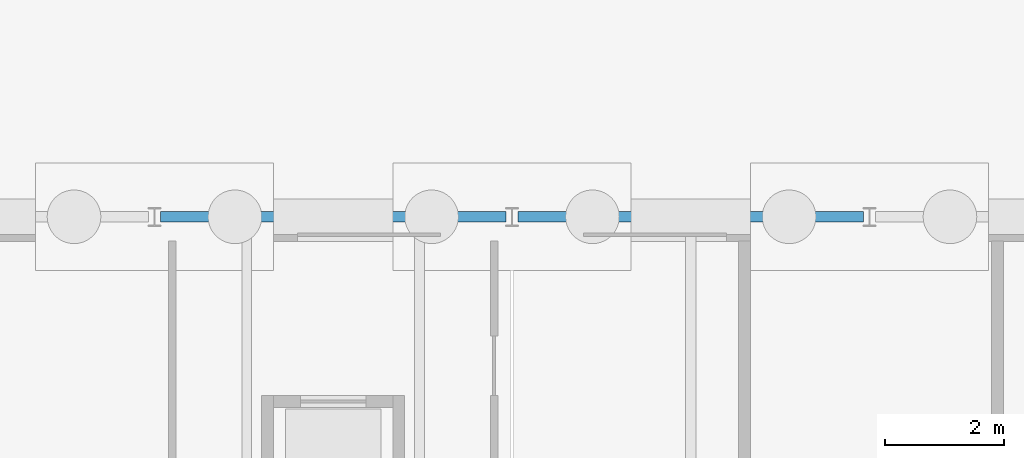
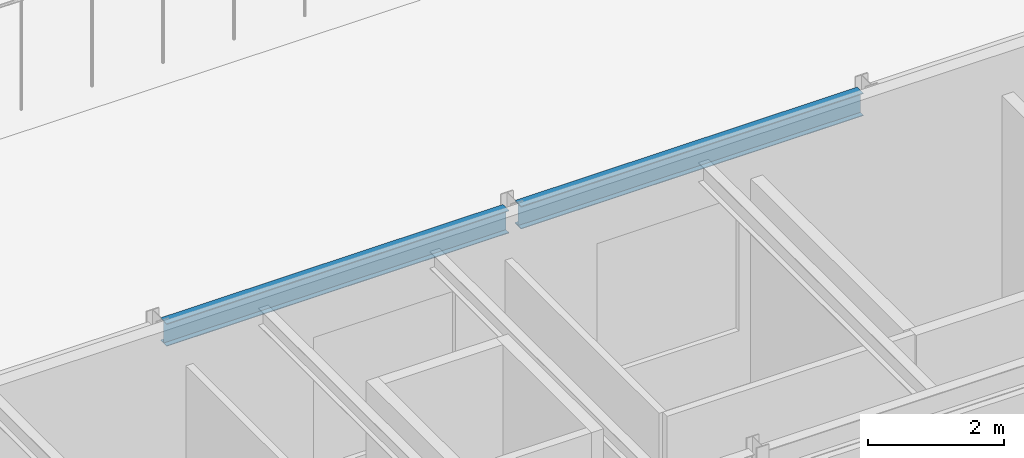
# One storey, part 58 of 139: 2 beams.
"""IFC4 building model written with IfcOpenShell, lengths in metres."""

from ifc_helpers import new_model, si_unit, direction, frame, origin, origin_2d, place, context, subcontext, project, spatial, i_section, extrude, material, material_profile, profile_set, type_object, element, save


model = new_model("IFC4")

# Units and contexts
model_context = context("Model", 3, precision=1e-05, world=origin(), true_north=direction((0.0, 1.0)))
body_context = subcontext(model_context, "Body", "Model", "MODEL_VIEW")
ifc_project = project(units=[si_unit("LENGTHUNIT", "METRE"), si_unit("AREAUNIT", "SQUARE_METRE"), si_unit("VOLUMEUNIT", "CUBIC_METRE"), si_unit("PLANEANGLEUNIT", "RADIAN"), si_unit("MASSUNIT", "GRAM", prefix="KILO")], contexts=[model_context])

# Site, building, storey
site_placement = place(None, origin())
site = spatial("IfcSite", under=ifc_project, at=site_placement, CompositionType="ELEMENT")
building_placement = place(site_placement, origin())
building = spatial("IfcBuilding", under=site, at=building_placement, Name="Verrick Yard Athletic Hall", CompositionType="ELEMENT")
storey_placement = place(building_placement, origin())
storey = spatial("IfcBuildingStorey", under=building, at=storey_placement, Name="L00", CompositionType="ELEMENT", Elevation=0.0)

# Beams
ifc_material = material(Name="Structural steel 350W (CSA G40.21)", Category="steel")
ifc_material_profile = material_profile(ifc_material, i_section(OverallWidth=0.177978515625, OverallDepth=0.406982421875, WebThickness=0.0078125, FlangeThickness=0.0126953125, at=origin_2d()), Name="W410x60")
ifc_profile_set = profile_set([ifc_material_profile], Name="Structural steel 350W (CSA G40.21)")
beam_type = type_object("IfcBeamType", Name="HB girder W410x60", PredefinedType="BEAM", material=ifc_profile_set)
for number, where, z_axis, x_axis, name in (
    (1, (139.702392578125, 108.0, 4.04638671875), (1.0, 0.0, 0.0), (0.0, 1.0, 0.0), "HB-GB-A-L01-N4"),
    (2, (145.702392578125, 108.0, 4.04638671875), (1.0, 0.0, 0.0), (0.0, 1.0, 0.0), "HB-GB-A-L01-N5"),
):
    element("IfcBeam", number, at=place(storey_placement, frame(where, z_axis=z_axis, x_axis=x_axis)), inside=storey, type_object=beam_type, Name=name, PredefinedType="BEAM", context=body_context, shape_type="SweptSolid", body=[
        extrude(i_section(OverallWidth=0.177978515625, OverallDepth=0.406982421875, WebThickness=0.0078125, FlangeThickness=0.0126953125, at=origin_2d()), origin(), (0.0, 0.0, 1.0), 5.795166015625),
    ])

save(model, "model.ifc")
